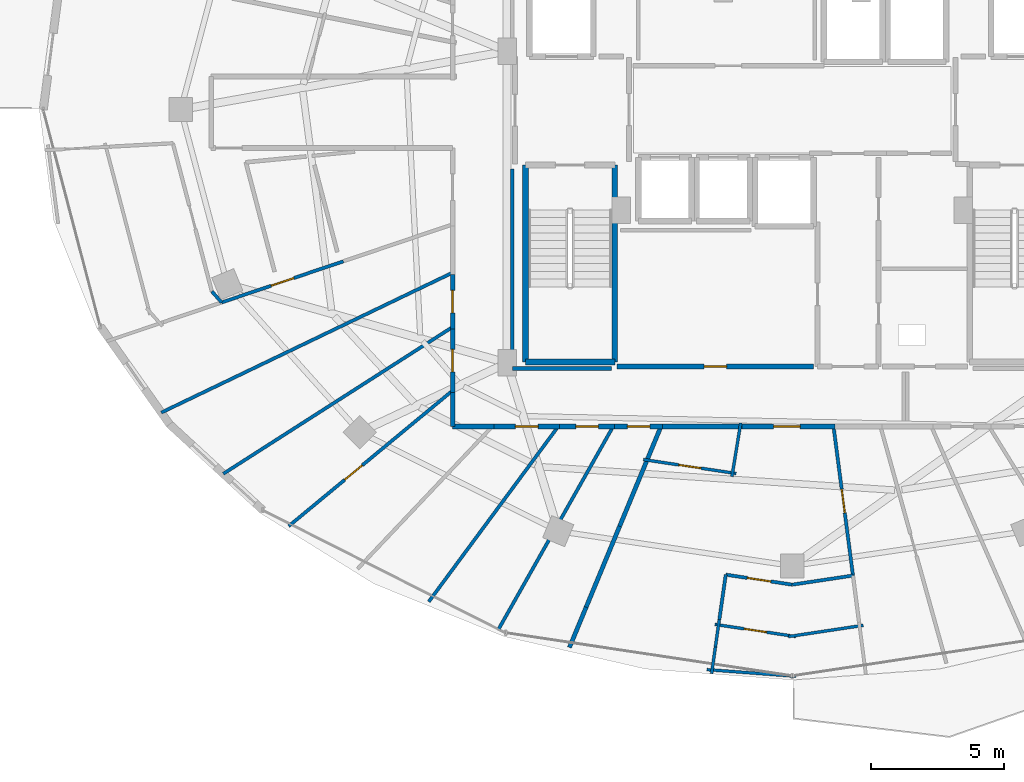
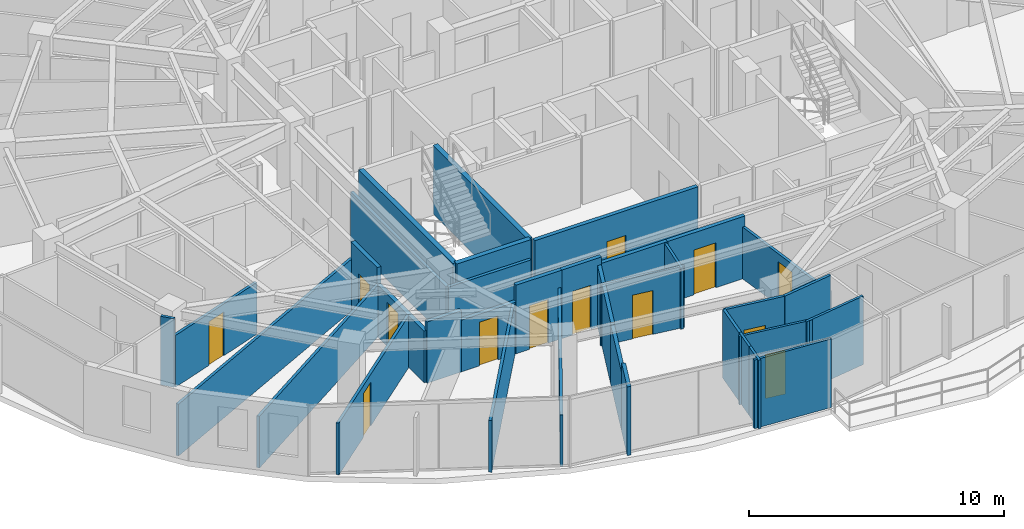
# One storey, part 24 of 34: 36 walls, 13 doors, 13 openings.
"""IFC4 building model written with IfcOpenShell, lengths in metres."""

from ifc_helpers import new_model, si_unit, direction, frame, frame_2d, origin, place, context, subcontext, project, spatial, rectangle, extrude, material, layer, layer_set, type_object, element, fill, save


model = new_model("IFC4")

# Units and contexts
model_context = context("Model", 3, precision=1e-05, world=origin(), true_north=direction((0.0, 1.0)))
body_context = subcontext(model_context, "Body", "Model", "MODEL_VIEW")
ifc_project = project(units=[si_unit("LENGTHUNIT", "METRE"), si_unit("AREAUNIT", "SQUARE_METRE"), si_unit("VOLUMEUNIT", "CUBIC_METRE"), si_unit("PLANEANGLEUNIT", "RADIAN"), si_unit("MASSUNIT", "GRAM", prefix="KILO")], contexts=[model_context])

# Site, building, storey
site_placement = place(None, origin())
site = spatial("IfcSite", under=ifc_project, at=site_placement, CompositionType="ELEMENT")
building_placement = place(site_placement, origin())
building = spatial("IfcBuilding", under=site, at=building_placement, Name="Vorneva Point Tower", CompositionType="ELEMENT")
storey_placement = place(building_placement, frame((0.0, 0.0, 210.75)))
storey = spatial("IfcBuildingStorey", under=building, at=storey_placement, Name="L57", CompositionType="ELEMENT", Elevation=210.75)

# Wall
ifc_material_1 = material(Name="Fire-rated acoustic gypsum stud partition", Category="gypsum")
ifc_layer_1 = layer(ifc_material_1, 0.110107421875)
ifc_layer_set_1 = layer_set([ifc_layer_1], Name="Fire-rated acoustic gypsum stud partition")
wall_type_1 = type_object("IfcWallType", Name="WL-PART-110", PredefinedType="PARTITIONING", material=ifc_layer_set_1)
wall_1_placement = place(storey_placement, frame((36.05859375, 14.18798828125, 0.0), z_axis=(0.0, 0.0, 1.0), x_axis=(-0.16206206721, -0.986780566474, 0.0)))
element("IfcWall", 1, at=wall_1_placement, inside=storey, type_object=wall_type_1, Name="L57 Interior Partition 143", PredefinedType="PARTITIONING", context=body_context, shape_type="SweptSolid", body=[
    extrude(rectangle(XDim=2.05029296875, YDim=0.110107421875, at=frame_2d((1.025146484375, 0.0))), origin(), (0.0, 0.0, 1.0), 2.93603515625),
])

# Wall, opening, door
wall_2_placement = place(storey_placement, frame((35.887451171875, 12.2822265625, 0.0), z_axis=(0.0, 0.0, 1.0), x_axis=(-0.988902415317, 0.148566527121, 0.0)))
wall_2 = element("IfcWall", 2, at=wall_2_placement, inside=storey, type_object=wall_type_1, Name="L57 Interior Partition 144", PredefinedType="PARTITIONING", context=body_context, shape_type="SweptSolid", body=[
    extrude(rectangle(XDim=3.5380859375, YDim=0.110107421875, at=frame_2d((1.76904296875, 0.0))), origin(), (0.0, 0.0, 1.0), 2.93603515625),
])
opening_1_placement = place(wall_2_placement, frame((1.343994140625, 0.0, 0.0)))
opening_1 = element("IfcOpeningElement", 3, at=opening_1_placement, cuts=wall_2, Name="Opening ID-02", PredefinedType="OPENING", context=body_context, shape_type="SweptSolid", body=[
    extrude(rectangle(XDim=0.85009765625, YDim=2.10009765625, at=frame_2d((0.425048828125, 1.050048828125))), frame((0.0, 0.06982421875, 0.0), z_axis=(0.0, -1.0, 0.0), x_axis=(1.0, 0.0, 0.0)), (0.0, 0.0, 1.0), 0.139892578125),
])
ifc_material_2 = material(Name="Engineered oak fire-rated door leaf", Category="wood")
door_type_1 = type_object("IfcDoorType", Name="DR-BATH-850", OperationType="NOTDEFINED", PredefinedType="DOOR", material=ifc_material_2)
door_1_placement = place(opening_1_placement, origin())
door_1 = element("IfcDoor", 4, at=door_1_placement, inside=storey, type_object=door_type_1, Name="L57 Door Living and Dining Room L57-04 / Bathroom L57-04", OperationType="SINGLE_SWING_RIGHT", OverallHeight=2.10009765625, OverallWidth=0.85009765625, PredefinedType="DOOR", context=body_context, shape_type="SweptSolid", body=[
    extrude(rectangle(XDim=0.85009765625, YDim=2.10009765625, at=frame_2d((0.425048828125, 1.050048828125))), frame((0.0, 0.02490234375, 0.0), z_axis=(0.0, -1.0, 0.0), x_axis=(1.0, 0.0, 0.0)), (0.0, 0.0, 1.0), 0.050048828125),
])
fill(opening_1, door_1)

# Walls
wall_3_placement = place(storey_placement, frame((34.780517578125, 4.890380859375, 0.0), z_axis=(0.0, 0.0, 1.0), x_axis=(0.997225868556, -0.07443498561, 0.0)))
element("IfcWall", 5, at=wall_3_placement, inside=storey, type_object=wall_type_1, Name="L57 Interior Partition 145", PredefinedType="PARTITIONING", context=body_context, shape_type="SweptSolid", body=[
    extrude(rectangle(XDim=3.368408203125, YDim=0.110107421875, at=frame_2d((1.68408203125, 0.0))), origin(), (0.0, 0.0, 1.0), 3.2900390625),
])
wall_4_placement = place(storey_placement, frame((34.960205078125, 4.7373046875, 0.0), z_axis=(0.0, 0.0, 1.0), x_axis=(0.141118797845, 0.989992669112, 0.0)))
element("IfcWall", 6, at=wall_4_placement, inside=storey, type_object=wall_type_1, Name="L57 Interior Partition 146", PredefinedType="PARTITIONING", context=body_context, shape_type="SweptSolid", body=[
    extrude(rectangle(XDim=1.129638671875, YDim=0.110107421875, at=frame_2d((0.56494140625, 0.0))), origin(), (0.0, 0.0, 1.0), 3.2900390625),
])
wall_5_placement = place(storey_placement, frame((35.10400390625, 5.746826171875, 0.0), z_axis=(0.0, 0.0, 1.0), x_axis=(0.141751551652, 0.989902266693, 0.0)))
element("IfcWall", 7, at=wall_5_placement, inside=storey, type_object=wall_type_1, Name="L57 Interior Partition 147", PredefinedType="PARTITIONING", context=body_context, shape_type="SweptSolid", body=[
    extrude(rectangle(XDim=1.03515625, YDim=0.110107421875, at=frame_2d((0.517578125, 0.0))), origin(), (0.0, 0.0, 1.0), 3.2900390625),
])
wall_6_placement = place(storey_placement, frame((40.67529296875, 6.558837890625, 0.0), z_axis=(0.0, 0.0, 1.0), x_axis=(-0.988857545323, -0.148864888602, 0.0)))
element("IfcWall", 8, at=wall_6_placement, inside=storey, type_object=wall_type_1, Name="L57 Interior Partition 153", PredefinedType="PARTITIONING", context=body_context, shape_type="SweptSolid", body=[
    extrude(rectangle(XDim=2.845458984375, YDim=0.110107421875, at=frame_2d((1.4228515625, 0.0))), origin(), (0.0, 0.0, 1.0), 3.2900390625),
])

# Wall, opening, door
wall_7_placement = place(storey_placement, frame((38.138427734375, 6.13525390625, 0.0), z_axis=(0.0, 0.0, 1.0), x_axis=(-0.988868983452, 0.148788889259, 0.0)))
wall_7 = element("IfcWall", 9, at=wall_7_placement, inside=storey, type_object=wall_type_1, Name="L57 Interior Partition 154", PredefinedType="PARTITIONING", context=body_context, shape_type="SweptSolid", body=[
    extrude(rectangle(XDim=3.088134765625, YDim=0.110107421875, at=frame_2d((1.5439453125, 0.0))), origin(), (0.0, 0.0, 1.0), 3.2900390625),
])
opening_2_placement = place(wall_7_placement, frame((1.119140625, 0.0, 0.0)))
opening_2 = element("IfcOpeningElement", 10, at=opening_2_placement, cuts=wall_7, Name="Opening ID-02", PredefinedType="OPENING", context=body_context, shape_type="SweptSolid", body=[
    extrude(rectangle(XDim=0.85009765625, YDim=2.10009765625, at=frame_2d((0.425048828125, 1.050048828125))), frame((0.0, 0.06982421875, 0.0), z_axis=(0.0, -1.0, 0.0), x_axis=(1.0, 0.0, 0.0)), (0.0, 0.0, 1.0), 0.139892578125),
])
door_2_placement = place(opening_2_placement, origin())
door_2 = element("IfcDoor", 11, at=door_2_placement, inside=storey, type_object=door_type_1, Name="L57 Access Door Kitchen L57-04", OperationType="SINGLE_SWING_LEFT", OverallHeight=2.10009765625, OverallWidth=0.85009765625, PredefinedType="DOOR", context=body_context, shape_type="SweptSolid", body=[
    extrude(rectangle(XDim=0.85009765625, YDim=2.10009765625, at=frame_2d((0.425048828125, 1.050048828125))), frame((0.0, 0.02490234375, 0.0), z_axis=(0.0, -1.0, 0.0), x_axis=(1.0, 0.0, 0.0)), (0.0, 0.0, 1.0), 0.050048828125),
])
fill(opening_2, door_2)

# Wall
ifc_layer_2 = layer(ifc_material_1, 0.125)
ifc_layer_set_2 = layer_set([ifc_layer_2], Name="Fire-rated acoustic gypsum stud partition")
wall_type_2 = type_object("IfcWallType", Name="WL-PART-125", PredefinedType="PARTITIONING", material=ifc_layer_set_2)
wall_8_placement = place(storey_placement, frame((16.123046875, 19.14697265625, 0.0), z_axis=(0.0, 0.0, 1.0), x_axis=(0.661607116759, -0.749850667169, 0.0)))
element("IfcWall", 12, at=wall_8_placement, inside=storey, type_object=wall_type_2, Name="L57 Interior Partition 128", PredefinedType="PARTITIONING", context=body_context, shape_type="SweptSolid", body=[
    extrude(rectangle(XDim=0.55615234375, YDim=0.125, at=frame_2d((0.278076171875, 0.0))), origin(), (0.0, 0.0, 1.0), 3.2900390625),
])

# Wall, opening, door
wall_9_placement = place(storey_placement, frame((16.490966796875, 18.72998046875, 0.0), z_axis=(0.0, 0.0, 1.0), x_axis=(0.947333893653, 0.320247551023, 0.0)))
wall_9 = element("IfcWall", 13, at=wall_9_placement, inside=storey, type_object=wall_type_2, Name="L57 Interior Partition 130", PredefinedType="PARTITIONING", context=body_context, shape_type="SweptSolid", body=[
    extrude(rectangle(XDim=4.84326171875, YDim=0.125, at=frame_2d((2.421630859375, 0.0))), origin(), (0.0, 0.0, 1.0), 2.48193359375),
])
opening_3_placement = place(wall_9_placement, frame((1.971435546875, 0.0, 0.0)))
opening_3 = element("IfcOpeningElement", 14, at=opening_3_placement, cuts=wall_9, Name="Opening ID-01", PredefinedType="OPENING", context=body_context, shape_type="SweptSolid", body=[
    extrude(rectangle(XDim=0.89990234375, YDim=2.10009765625, at=frame_2d((0.449951171875, 1.050048828125))), frame((0.0, 0.077392578125, 0.0), z_axis=(0.0, -1.0, 0.0), x_axis=(1.0, 0.0, 0.0)), (0.0, 0.0, 1.0), 0.15478515625),
])
door_type_2 = type_object("IfcDoorType", Name="DR-ROOM-900", OperationType="NOTDEFINED", PredefinedType="DOOR", material=ifc_material_2)
door_3_placement = place(opening_3_placement, origin())
door_3 = element("IfcDoor", 15, at=door_3_placement, inside=storey, type_object=door_type_2, Name="L57 Door Living and Dining Room L57-03 / Master Bedroom L57-03.1", OperationType="SINGLE_SWING_LEFT", OverallHeight=2.10009765625, OverallWidth=0.89990234375, PredefinedType="DOOR", context=body_context, shape_type="SweptSolid", body=[
    extrude(rectangle(XDim=0.89990234375, YDim=2.10009765625, at=frame_2d((0.449951171875, 1.050048828125))), frame((0.0, 0.02490234375, 0.0), z_axis=(0.0, -1.0, 0.0), x_axis=(1.0, 0.0, 0.0)), (0.0, 0.0, 1.0), 0.050048828125),
])
fill(opening_3, door_3)

# Walls
wall_10_placement = place(storey_placement, frame((14.217041015625, 14.5791015625, 0.0), z_axis=(0.0, 0.0, 1.0), x_axis=(0.901423599975, 0.432938209689, 0.0)))
element("IfcWall", 16, at=wall_10_placement, inside=storey, type_object=wall_type_2, Name="L57 Interior Partition 134", PredefinedType="PARTITIONING", context=body_context, shape_type="SweptSolid", body=[
    extrude(rectangle(XDim=12.18408203125, YDim=0.125, at=frame_2d((6.092041015625, 0.0))), origin(), (0.0, 0.0, 1.0), 2.48193359375),
])
wall_11_placement = place(storey_placement, frame((16.554931640625, 12.27197265625, 0.0), z_axis=(0.0, 0.0, 1.0), x_axis=(0.842221721565, 0.539131312135, 0.0)))
element("IfcWall", 17, at=wall_11_placement, inside=storey, type_object=wall_type_2, Name="L57 Interior Partition 135", PredefinedType="PARTITIONING", context=body_context, shape_type="SweptSolid", body=[
    extrude(rectangle(XDim=10.2646484375, YDim=0.125, at=frame_2d((5.13232421875, 0.0))), origin(), (0.0, 0.0, 1.0), 2.48193359375),
])

# Wall, opening, door
wall_12_placement = place(storey_placement, frame((19.02001953125, 10.298095703125, 0.0), z_axis=(0.0, 0.0, 1.0), x_axis=(0.770494327523, 0.637446853671, 0.0)))
wall_12 = element("IfcWall", 18, at=wall_12_placement, inside=storey, type_object=wall_type_2, Name="L57 Interior Partition 136", PredefinedType="PARTITIONING", context=body_context, shape_type="SweptSolid", body=[
    extrude(rectangle(XDim=8.020751953125, YDim=0.125, at=frame_2d((4.01025390625, 0.0))), origin(), (0.0, 0.0, 1.0), 2.48193359375),
])
opening_4_placement = place(wall_12_placement, frame((2.74560546875, 0.0, 0.0)))
opening_4 = element("IfcOpeningElement", 19, at=opening_4_placement, cuts=wall_12, Name="Opening ID-02", PredefinedType="OPENING", context=body_context, shape_type="SweptSolid", body=[
    extrude(rectangle(XDim=0.85009765625, YDim=2.10009765625, at=frame_2d((0.425048828125, 1.050048828125))), frame((0.0, 0.077392578125, 0.0), z_axis=(0.0, -1.0, 0.0), x_axis=(1.0, 0.0, 0.0)), (0.0, 0.0, 1.0), 0.15478515625),
])
door_4_placement = place(opening_4_placement, origin())
door_4 = element("IfcDoor", 20, at=door_4_placement, inside=storey, type_object=door_type_1, Name="L57 Access Door Bedroom L57-03.3", OperationType="SINGLE_SWING_LEFT", OverallHeight=2.10009765625, OverallWidth=0.85009765625, PredefinedType="DOOR", context=body_context, shape_type="SweptSolid", body=[
    extrude(rectangle(XDim=0.85009765625, YDim=2.10009765625, at=frame_2d((0.425048828125, 1.050048828125))), frame((0.0, 0.02490234375, 0.0), z_axis=(0.0, -1.0, 0.0), x_axis=(1.0, 0.0, 0.0)), (0.0, 0.0, 1.0), 0.050048828125),
])
fill(opening_4, door_4)

# Walls
wall_13_placement = place(storey_placement, frame((24.298095703125, 7.448974609375, 0.0), z_axis=(0.0, 0.0, 1.0), x_axis=(0.594148459094, 0.804355399408, 0.0)))
element("IfcWall", 21, at=wall_13_placement, inside=storey, type_object=wall_type_2, Name="L57 Interior Partition 138", PredefinedType="PARTITIONING", context=body_context, shape_type="SweptSolid", body=[
    extrude(rectangle(XDim=8.20654296875, YDim=0.125, at=frame_2d((4.103271484375, 0.0))), origin(), (0.0, 0.0, 1.0), 2.48193359375),
])
wall_14_placement = place(storey_placement, frame((26.916015625, 6.388916015625, 0.0), z_axis=(0.0, 0.0, 1.0), x_axis=(0.492046286697, 0.870569039047, 0.0)))
element("IfcWall", 22, at=wall_14_placement, inside=storey, type_object=wall_type_2, Name="L57 Interior Partition 139", PredefinedType="PARTITIONING", context=body_context, shape_type="SweptSolid", body=[
    extrude(rectangle(XDim=8.800048828125, YDim=0.125, at=frame_2d((4.39990234375, 0.0))), origin(), (0.0, 0.0, 1.0), 2.48193359375),
])
wall_15_placement = place(storey_placement, frame((35.2509765625, 6.771484375, 0.0), z_axis=(0.0, 0.0, 1.0), x_axis=(0.141660537741, 0.98991529539, 0.0)))
element("IfcWall", 23, at=wall_15_placement, inside=storey, type_object=wall_type_2, Name="L57 Interior Partition 148", PredefinedType="PARTITIONING", context=body_context, shape_type="SweptSolid", body=[
    extrude(rectangle(XDim=1.71484375, YDim=0.125, at=frame_2d((0.857421875, 0.0))), origin(), (0.0, 0.0, 1.0), 3.2900390625),
])

# Wall, opening, door
wall_16_placement = place(storey_placement, frame((35.493896484375, 8.468994140625, 0.0), z_axis=(0.0, 0.0, 1.0), x_axis=(0.988876209798, -0.148740854158, 0.0)))
wall_16 = element("IfcWall", 24, at=wall_16_placement, inside=storey, type_object=wall_type_2, Name="L57 Interior Partition 149", PredefinedType="PARTITIONING", context=body_context, shape_type="SweptSolid", body=[
    extrude(rectangle(XDim=2.5341796875, YDim=0.125, at=frame_2d((1.26708984375, 0.0))), origin(), (0.0, 0.0, 1.0), 3.2900390625),
])
opening_5_placement = place(wall_16_placement, frame((0.817138671875, 0.0, 0.0)))
opening_5 = element("IfcOpeningElement", 25, at=opening_5_placement, cuts=wall_16, Name="Opening ID-01", PredefinedType="OPENING", context=body_context, shape_type="SweptSolid", body=[
    extrude(rectangle(XDim=0.89990234375, YDim=2.10009765625, at=frame_2d((0.449951171875, 1.050048828125))), frame((0.0, 0.077392578125, 0.0), z_axis=(0.0, -1.0, 0.0), x_axis=(1.0, 0.0, 0.0)), (0.0, 0.0, 1.0), 0.15478515625),
])
door_5_placement = place(opening_5_placement, origin())
door_5 = element("IfcDoor", 26, at=door_5_placement, inside=storey, type_object=door_type_2, Name="L57 Door Living and Dining Room L57-04 / Study Room L57-04", OperationType="SINGLE_SWING_LEFT", OverallHeight=2.10009765625, OverallWidth=0.89990234375, PredefinedType="DOOR", context=body_context, shape_type="SweptSolid", body=[
    extrude(rectangle(XDim=0.89990234375, YDim=2.10009765625, at=frame_2d((0.449951171875, 1.050048828125))), frame((0.0, 0.02490234375, 0.0), z_axis=(0.0, -1.0, 0.0), x_axis=(1.0, 0.0, 0.0)), (0.0, 0.0, 1.0), 0.050048828125),
])
fill(opening_5, door_5)

# Wall
wall_17_placement = place(storey_placement, frame((38.0, 8.092041015625, 0.0), z_axis=(0.0, 0.0, 1.0), x_axis=(0.988896087956, 0.148608637791, 0.0)))
element("IfcWall", 27, at=wall_17_placement, inside=storey, type_object=wall_type_2, Name="L57 Interior Partition 150", PredefinedType="PARTITIONING", context=body_context, shape_type="SweptSolid", body=[
    extrude(rectangle(XDim=2.314697265625, YDim=0.125, at=frame_2d((1.1572265625, 0.0))), origin(), (0.0, 0.0, 1.0), 3.2900390625),
])

# Wall, opening, door
wall_18_placement = place(storey_placement, frame((40.289306640625, 8.43603515625, 0.0), z_axis=(0.0, 0.0, 1.0), x_axis=(-0.12936683678, 0.991596803919, 0.0)))
wall_18 = element("IfcWall", 28, at=wall_18_placement, inside=storey, type_object=wall_type_2, Name="L57 Interior Partition 152", PredefinedType="PARTITIONING", context=body_context, shape_type="SweptSolid", body=[
    extrude(rectangle(XDim=5.66162109375, YDim=0.125, at=frame_2d((2.830810546875, 0.0))), origin(), (0.0, 0.0, 1.0), 2.48193359375),
])
opening_6_placement = place(wall_18_placement, frame((2.380615234375, 0.0, 0.0)))
opening_6 = element("IfcOpeningElement", 29, at=opening_6_placement, cuts=wall_18, Name="Opening ID-01", PredefinedType="OPENING", context=body_context, shape_type="SweptSolid", body=[
    extrude(rectangle(XDim=0.89990234375, YDim=2.10009765625, at=frame_2d((0.449951171875, 1.050048828125))), frame((0.0, 0.077392578125, 0.0), z_axis=(0.0, -1.0, 0.0), x_axis=(1.0, 0.0, 0.0)), (0.0, 0.0, 1.0), 0.15478515625),
])
door_6_placement = place(opening_6_placement, origin())
door_6 = element("IfcDoor", 30, at=door_6_placement, inside=storey, type_object=door_type_2, Name="L57 Door Living and Dining Room L57-04 / Master Bedroom L57-04.1", OperationType="SINGLE_SWING_LEFT", OverallHeight=2.10009765625, OverallWidth=0.89990234375, PredefinedType="DOOR", context=body_context, shape_type="SweptSolid", body=[
    extrude(rectangle(XDim=0.89990234375, YDim=2.10009765625, at=frame_2d((0.449951171875, 1.050048828125))), frame((0.0, 0.02490234375, 0.0), z_axis=(0.0, -1.0, 0.0), x_axis=(1.0, 0.0, 0.0)), (0.0, 0.0, 1.0), 0.050048828125),
])
fill(opening_6, door_6)

# Walls
ifc_layer_3 = layer(ifc_material_1, 0.139892578125)
ifc_layer_set_3 = layer_set([ifc_layer_3], Name="Fire-rated acoustic gypsum stud partition")
wall_type_3 = type_object("IfcWallType", Name="WL-PART-140", PredefinedType="PARTITIONING", material=ifc_layer_set_3)
wall_19_placement = place(storey_placement, frame((27.449951171875, 23.75390625, 0.0), z_axis=(0.0, 0.0, 1.0), x_axis=(0.0, -1.0, 0.0)))
element("IfcWall", 31, at=wall_19_placement, inside=storey, type_object=wall_type_3, Name="L57 Interior Closure Partition 179", PredefinedType="PARTITIONING", context=body_context, shape_type="SweptSolid", body=[
    extrude(rectangle(XDim=7.513916015625, YDim=0.139892578125, at=frame_2d((3.7568359375, 0.0))), origin(), (0.0, 0.0, 1.0), 2.48193359375),
])
wall_20_placement = place(storey_placement, frame((27.449951171875, 16.239990234375, 0.0), z_axis=(0.0, 0.0, 1.0), x_axis=(1.0, 0.0, 0.0)))
element("IfcWall", 32, at=wall_20_placement, inside=storey, type_object=wall_type_3, Name="L57 Interior Closure Partition 180", PredefinedType="PARTITIONING", context=body_context, shape_type="SweptSolid", body=[
    extrude(rectangle(XDim=3.7451171875, YDim=0.139892578125, at=frame_2d((1.87255859375, 0.0))), origin(), (0.0, 0.0, 1.0), 2.48193359375),
])
ifc_layer_4 = layer(ifc_material_1, 0.159912109375)
ifc_layer_set_4 = layer_set([ifc_layer_4], Name="Fire-rated acoustic gypsum stud partition")
wall_type_4 = type_object("IfcWallType", Name="WL-PART-160", PredefinedType="PARTITIONING", material=ifc_layer_set_4)
wall_21_placement = place(storey_placement, frame((30.23095703125, 7.242919921875, 0.0), z_axis=(0.0, 0.0, 1.0), x_axis=(0.382467158794, 0.923969086303, 0.0)))
element("IfcWall", 33, at=wall_21_placement, inside=storey, type_object=wall_type_4, Name="L57 Interior Partition 140", PredefinedType="PARTITIONING", context=body_context, shape_type="SweptSolid", body=[
    extrude(rectangle(XDim=3.302001953125, YDim=0.159912109375, at=frame_2d((1.65087890625, 0.0))), origin(), (0.0, 0.0, 1.0), 2.823974609375),
])
wall_22_placement = place(storey_placement, frame((31.493896484375, 10.2939453125, 0.0), z_axis=(0.0, 0.0, 1.0), x_axis=(0.382751310383, 0.923851413594, 0.0)))
element("IfcWall", 34, at=wall_22_placement, inside=storey, type_object=wall_type_4, Name="L57 Interior Partition 141", PredefinedType="PARTITIONING", context=body_context, shape_type="SweptSolid", body=[
    extrude(rectangle(XDim=4.065673828125, YDim=0.159912109375, at=frame_2d((2.03271484375, 0.0))), origin(), (0.0, 0.0, 1.0), 2.93603515625),
])
wall_23_placement = place(storey_placement, frame((29.60205078125, 5.72509765625, 0.0), z_axis=(0.0, 0.0, 1.0), x_axis=(0.382789247432, 0.923835695376, 0.0)))
element("IfcWall", 35, at=wall_23_placement, inside=storey, type_object=wall_type_4, Name="L57 Interior Partition 142", PredefinedType="PARTITIONING", context=body_context, shape_type="SweptSolid", body=[
    extrude(rectangle(XDim=1.64306640625, YDim=0.159912109375, at=frame_2d((0.821533203125, 0.0))), origin(), (0.0, 0.0, 1.0), 3.2900390625),
])

# Wall, opening, door
ifc_material_3 = material(Name="Autoclaved aerated concrete blockwork", Category="masonry")
ifc_layer_5 = layer(ifc_material_3, 0.179931640625)
ifc_layer_set_5 = layer_set([ifc_layer_5], Name="Autoclaved aerated concrete blockwork")
wall_type_5 = type_object("IfcWallType", Name="WL-PART-180", PredefinedType="PARTITIONING", material=ifc_layer_set_5)
wall_24_placement = place(storey_placement, frame((31.39990234375, 16.320068359375, 0.0), z_axis=(0.0, 0.0, 1.0), x_axis=(1.0, 0.0, 0.0)))
wall_24 = element("IfcWall", 36, at=wall_24_placement, inside=storey, type_object=wall_type_5, Name="L57 Interior Partition 025", PredefinedType="PARTITIONING", context=body_context, shape_type="SweptSolid", body=[
    extrude(rectangle(XDim=7.400146484375, YDim=0.179931640625, at=frame_2d((3.7001953125, 0.0))), origin(), (0.0, 0.0, 1.0), 3.2900390625),
])
opening_7_placement = place(wall_24_placement, frame((3.27490234375, 0.0, 0.0)))
opening_7 = element("IfcOpeningElement", 37, at=opening_7_placement, cuts=wall_24, Name="Opening ID-02", PredefinedType="OPENING", context=body_context, shape_type="SweptSolid", body=[
    extrude(rectangle(XDim=0.85009765625, YDim=2.10009765625, at=frame_2d((0.425048828125, 1.050048828125))), frame((0.0, 0.10498046875, 0.0), z_axis=(0.0, -1.0, 0.0), x_axis=(1.0, 0.0, 0.0)), (0.0, 0.0, 1.0), 0.209716796875),
])
door_7_placement = place(opening_7_placement, origin())
door_7 = element("IfcDoor", 38, at=door_7_placement, inside=storey, type_object=door_type_1, Name="L57 Door Floor Storage Room / L57 Circulation Corridor", OperationType="SINGLE_SWING_RIGHT", OverallHeight=2.10009765625, OverallWidth=0.85009765625, PredefinedType="DOOR", context=body_context, shape_type="SweptSolid", body=[
    extrude(rectangle(XDim=0.85009765625, YDim=2.10009765625, at=frame_2d((0.425048828125, 1.050048828125))), frame((0.0, 0.02490234375, 0.0), z_axis=(0.0, -1.0, 0.0), x_axis=(1.0, 0.0, 0.0)), (0.0, 0.0, 1.0), 0.050048828125),
])
fill(opening_7, door_7)

wall_25_placement = place(storey_placement, frame((25.199951171875, 19.787109375, 0.0), z_axis=(0.0, 0.0, 1.0), x_axis=(0.0, -1.0, 0.0)))
wall_25 = element("IfcWall", 39, at=wall_25_placement, inside=storey, type_object=wall_type_5, Name="L57 Interior Partition 055", PredefinedType="PARTITIONING", context=body_context, shape_type="SweptSolid", body=[
    extrude(rectangle(XDim=2.052001953125, YDim=0.179931640625, at=frame_2d((1.02587890625, 0.0))), origin(), (0.0, 0.0, 1.0), 3.2900390625),
])
opening_8_placement = place(wall_25_placement, frame((0.60107421875, 0.0, 0.0)))
opening_8 = element("IfcOpeningElement", 40, at=opening_8_placement, cuts=wall_25, Name="Opening ID-02", PredefinedType="OPENING", context=body_context, shape_type="SweptSolid", body=[
    extrude(rectangle(XDim=0.85009765625, YDim=2.10009765625, at=frame_2d((0.425048828125, 1.050048828125))), frame((0.0, 0.10498046875, 0.0), z_axis=(0.0, -1.0, 0.0), x_axis=(1.0, 0.0, 0.0)), (0.0, 0.0, 1.0), 0.209716796875),
])
door_8_placement = place(opening_8_placement, origin())
door_8 = element("IfcDoor", 41, at=door_8_placement, inside=storey, type_object=door_type_1, Name="L57 Access Door L57 Circulation Corridor", OperationType="SINGLE_SWING_LEFT", OverallHeight=2.10009765625, OverallWidth=0.85009765625, PredefinedType="DOOR", context=body_context, shape_type="SweptSolid", body=[
    extrude(rectangle(XDim=0.85009765625, YDim=2.10009765625, at=frame_2d((0.425048828125, 1.050048828125))), frame((0.0, 0.02490234375, 0.0), z_axis=(0.0, -1.0, 0.0), x_axis=(1.0, 0.0, 0.0)), (0.0, 0.0, 1.0), 0.050048828125),
])
fill(opening_8, door_8)

wall_26_placement = place(storey_placement, frame((25.199951171875, 17.735107421875, 0.0), z_axis=(0.0, 0.0, 1.0), x_axis=(0.0, -1.0, 0.0)))
wall_26 = element("IfcWall", 42, at=wall_26_placement, inside=storey, type_object=wall_type_5, Name="L57 Interior Partition 056", PredefinedType="PARTITIONING", context=body_context, shape_type="SweptSolid", body=[
    extrude(rectangle(XDim=2.402099609375, YDim=0.179931640625, at=frame_2d((1.201171875, 0.0))), origin(), (0.0, 0.0, 1.0), 2.48193359375),
])
opening_9_placement = place(wall_26_placement, frame((0.77587890625, 0.0, 0.0)))
opening_9 = element("IfcOpeningElement", 43, at=opening_9_placement, cuts=wall_26, Name="Opening ID-02", PredefinedType="OPENING", context=body_context, shape_type="SweptSolid", body=[
    extrude(rectangle(XDim=0.85009765625, YDim=2.10009765625, at=frame_2d((0.425048828125, 1.050048828125))), frame((0.0, 0.10498046875, 0.0), z_axis=(0.0, -1.0, 0.0), x_axis=(1.0, 0.0, 0.0)), (0.0, 0.0, 1.0), 0.209716796875),
])
door_9_placement = place(opening_9_placement, origin())
door_9 = element("IfcDoor", 44, at=door_9_placement, inside=storey, type_object=door_type_1, Name="L57 Access Door L57 Circulation Corridor", OperationType="SINGLE_SWING_RIGHT", OverallHeight=2.10009765625, OverallWidth=0.85009765625, PredefinedType="DOOR", context=body_context, shape_type="SweptSolid", body=[
    extrude(rectangle(XDim=0.85009765625, YDim=2.10009765625, at=frame_2d((0.425048828125, 1.050048828125))), frame((0.0, 0.02490234375, 0.0), z_axis=(0.0, -1.0, 0.0), x_axis=(1.0, 0.0, 0.0)), (0.0, 0.0, 1.0), 0.050048828125),
])
fill(opening_9, door_9)

# Walls
wall_27_placement = place(storey_placement, frame((25.199951171875, 15.3330078125, 0.0), z_axis=(0.0, 0.0, 1.0), x_axis=(0.0, -1.0, 0.0)))
element("IfcWall", 45, at=wall_27_placement, inside=storey, type_object=wall_type_5, Name="L57 Interior Partition 057", PredefinedType="PARTITIONING", context=body_context, shape_type="SweptSolid", body=[
    extrude(rectangle(XDim=1.282958984375, YDim=0.179931640625, at=frame_2d((0.6416015625, 0.0))), origin(), (0.0, 0.0, 1.0), 2.48193359375),
])
wall_28_placement = place(storey_placement, frame((25.199951171875, 14.050048828125, 0.0), z_axis=(0.0, 0.0, 1.0), x_axis=(1.0, 0.0, 0.0)))
element("IfcWall", 46, at=wall_28_placement, inside=storey, type_object=wall_type_5, Name="L57 Interior Partition 058", PredefinedType="PARTITIONING", context=body_context, shape_type="SweptSolid", body=[
    extrude(rectangle(XDim=1.550048828125, YDim=0.179931640625, at=frame_2d((0.77490234375, 0.0))), origin(), (0.0, 0.0, 1.0), 2.93603515625),
])

# Wall, opening, door
wall_29_placement = place(storey_placement, frame((26.75, 14.050048828125, 0.0), z_axis=(0.0, 0.0, 1.0), x_axis=(1.0, 0.0, 0.0)))
wall_29 = element("IfcWall", 47, at=wall_29_placement, inside=storey, type_object=wall_type_5, Name="L57 Interior Partition 059", PredefinedType="PARTITIONING", context=body_context, shape_type="SweptSolid", body=[
    extrude(rectangle(XDim=2.48388671875, YDim=0.179931640625, at=frame_2d((1.241943359375, 0.0))), origin(), (0.0, 0.0, 1.0), 2.48193359375),
])
opening_10_placement = place(wall_29_placement, frame((0.81689453125, 0.0, 0.0)))
opening_10 = element("IfcOpeningElement", 48, at=opening_10_placement, cuts=wall_29, Name="Opening ID-02", PredefinedType="OPENING", context=body_context, shape_type="SweptSolid", body=[
    extrude(rectangle(XDim=0.85009765625, YDim=2.10009765625, at=frame_2d((0.425048828125, 1.050048828125))), frame((0.0, 0.10498046875, 0.0), z_axis=(0.0, -1.0, 0.0), x_axis=(1.0, 0.0, 0.0)), (0.0, 0.0, 1.0), 0.209716796875),
])
door_10_placement = place(opening_10_placement, origin())
door_10 = element("IfcDoor", 49, at=door_10_placement, inside=storey, type_object=door_type_1, Name="L57 Access Door L57 Circulation Corridor", OperationType="SINGLE_SWING_LEFT", OverallHeight=2.10009765625, OverallWidth=0.85009765625, PredefinedType="DOOR", context=body_context, shape_type="SweptSolid", body=[
    extrude(rectangle(XDim=0.85009765625, YDim=2.10009765625, at=frame_2d((0.425048828125, 1.050048828125))), frame((0.0, 0.02490234375, 0.0), z_axis=(0.0, -1.0, 0.0), x_axis=(1.0, 0.0, 0.0)), (0.0, 0.0, 1.0), 0.050048828125),
])
fill(opening_10, door_10)

wall_30_placement = place(storey_placement, frame((29.23388671875, 14.050048828125, 0.0), z_axis=(0.0, 0.0, 1.0), x_axis=(1.0, 0.0, 0.0)))
wall_30 = element("IfcWall", 50, at=wall_30_placement, inside=storey, type_object=wall_type_5, Name="L57 Interior Partition 060", PredefinedType="PARTITIONING", context=body_context, shape_type="SweptSolid", body=[
    extrude(rectangle(XDim=2.072021484375, YDim=0.179931640625, at=frame_2d((1.0361328125, 0.0))), origin(), (0.0, 0.0, 1.0), 3.2900390625),
])
opening_11_placement = place(wall_30_placement, frame((0.611083984375, 0.0, 0.0)))
opening_11 = element("IfcOpeningElement", 51, at=opening_11_placement, cuts=wall_30, Name="Opening ID-02", PredefinedType="OPENING", context=body_context, shape_type="SweptSolid", body=[
    extrude(rectangle(XDim=0.85009765625, YDim=2.10009765625, at=frame_2d((0.425048828125, 1.050048828125))), frame((0.0, 0.10498046875, 0.0), z_axis=(0.0, -1.0, 0.0), x_axis=(1.0, 0.0, 0.0)), (0.0, 0.0, 1.0), 0.209716796875),
])
door_11_placement = place(opening_11_placement, origin())
door_11 = element("IfcDoor", 52, at=door_11_placement, inside=storey, type_object=door_type_1, Name="L57 Access Door L57 Circulation Corridor", OperationType="SINGLE_SWING_RIGHT", OverallHeight=2.10009765625, OverallWidth=0.85009765625, PredefinedType="DOOR", context=body_context, shape_type="SweptSolid", body=[
    extrude(rectangle(XDim=0.85009765625, YDim=2.10009765625, at=frame_2d((0.425048828125, 1.050048828125))), frame((0.0, 0.02490234375, 0.0), z_axis=(0.0, -1.0, 0.0), x_axis=(1.0, 0.0, 0.0)), (0.0, 0.0, 1.0), 0.050048828125),
])
fill(opening_11, door_11)

wall_31_placement = place(storey_placement, frame((31.305908203125, 14.050048828125, 0.0), z_axis=(0.0, 0.0, 1.0), x_axis=(1.0, 0.0, 0.0)))
wall_31 = element("IfcWall", 53, at=wall_31_placement, inside=storey, type_object=wall_type_5, Name="L57 Interior Partition 061", PredefinedType="PARTITIONING", context=body_context, shape_type="SweptSolid", body=[
    extrude(rectangle(XDim=1.80419921875, YDim=0.179931640625, at=frame_2d((0.902099609375, 0.0))), origin(), (0.0, 0.0, 1.0), 3.2900390625),
])
opening_12_placement = place(wall_31_placement, frame((0.47705078125, 0.0, 0.0)))
opening_12 = element("IfcOpeningElement", 54, at=opening_12_placement, cuts=wall_31, Name="Opening ID-02", PredefinedType="OPENING", context=body_context, shape_type="SweptSolid", body=[
    extrude(rectangle(XDim=0.85009765625, YDim=2.10009765625, at=frame_2d((0.425048828125, 1.050048828125))), frame((0.0, 0.10498046875, 0.0), z_axis=(0.0, -1.0, 0.0), x_axis=(1.0, 0.0, 0.0)), (0.0, 0.0, 1.0), 0.209716796875),
])
door_12_placement = place(opening_12_placement, origin())
door_12 = element("IfcDoor", 55, at=door_12_placement, inside=storey, type_object=door_type_1, Name="L57 Access Door L57 Circulation Corridor", OperationType="SINGLE_SWING_LEFT", OverallHeight=2.10009765625, OverallWidth=0.85009765625, PredefinedType="DOOR", context=body_context, shape_type="SweptSolid", body=[
    extrude(rectangle(XDim=0.85009765625, YDim=2.10009765625, at=frame_2d((0.425048828125, 1.050048828125))), frame((0.0, 0.02490234375, 0.0), z_axis=(0.0, -1.0, 0.0), x_axis=(1.0, 0.0, 0.0)), (0.0, 0.0, 1.0), 0.050048828125),
])
fill(opening_12, door_12)

wall_32_placement = place(storey_placement, frame((35.97509765625, 14.050048828125, 0.0), z_axis=(0.0, 0.0, 1.0), x_axis=(1.0, 0.0, 0.0)))
wall_32 = element("IfcWall", 56, at=wall_32_placement, inside=storey, type_object=wall_type_5, Name="L57 Interior Partition 062", PredefinedType="PARTITIONING", context=body_context, shape_type="SweptSolid", body=[
    extrude(rectangle(XDim=3.642822265625, YDim=0.179931640625, at=frame_2d((1.8212890625, 0.0))), origin(), (0.0, 0.0, 1.0), 2.97900390625),
])
opening_13_placement = place(wall_32_placement, frame((1.321533203125, 0.0, 0.0)))
opening_13 = element("IfcOpeningElement", 57, at=opening_13_placement, cuts=wall_32, Name="Opening UD-01", PredefinedType="OPENING", context=body_context, shape_type="SweptSolid", body=[
    extrude(rectangle(XDim=1.0, YDim=2.14990234375, at=frame_2d((0.5, 1.074951171875))), frame((0.0, 0.10498046875, 0.0), z_axis=(0.0, -1.0, 0.0), x_axis=(1.0, 0.0, 0.0)), (0.0, 0.0, 1.0), 0.209716796875),
])
door_type_3 = type_object("IfcDoorType", Name="DR-UNIT-1000", OperationType="NOTDEFINED", PredefinedType="DOOR", material=ifc_material_2)
door_13_placement = place(opening_13_placement, origin())
door_13 = element("IfcDoor", 58, at=door_13_placement, inside=storey, type_object=door_type_3, Name="L57 Door L57 Circulation Corridor / Living and Dining Room L57-04", OperationType="SINGLE_SWING_LEFT", OverallHeight=2.14990234375, OverallWidth=1.0, PredefinedType="DOOR", context=body_context, shape_type="SweptSolid", body=[
    extrude(rectangle(XDim=1.0, YDim=2.14990234375, at=frame_2d((0.5, 1.074951171875))), frame((0.0, 0.02490234375, 0.0), z_axis=(0.0, -1.0, 0.0), x_axis=(1.0, 0.0, 0.0)), (0.0, 0.0, 1.0), 0.050048828125),
])
fill(opening_13, door_13)

# Walls
wall_33_placement = place(storey_placement, frame((32.969970703125, 14.050048828125, 0.0), z_axis=(0.0, 0.0, 1.0), x_axis=(1.0, 0.0, 0.0)))
element("IfcWall", 59, at=wall_33_placement, inside=storey, type_object=wall_type_5, Name="L57 Interior Partition 063", PredefinedType="PARTITIONING", context=body_context, shape_type="SweptSolid", body=[
    extrude(rectangle(XDim=3.14501953125, YDim=0.179931640625, at=frame_2d((1.572509765625, 0.0))), origin(), (0.0, 0.0, 1.0), 2.97900390625),
])
ifc_material_4 = material(Name="Concrete B50 (C40/50)", Category="concrete")
ifc_layer_6 = layer(ifc_material_4, 0.219970703125)
ifc_layer_set_6 = layer_set([ifc_layer_6], Name="Concrete B50 (C40/50)")
wall_type_6 = type_object("IfcWallType", Name="WL-SHFT-220", PredefinedType="SOLIDWALL", material=ifc_layer_set_6)
wall_34_placement = place(storey_placement, frame((31.31005859375, 23.909912109375, 0.0), z_axis=(0.0, 0.0, 1.0), x_axis=(0.0, -1.0, 0.0)))
element("IfcWall", 60, at=wall_34_placement, inside=storey, type_object=wall_type_6, Name="L57 Exit Stair ST1 Shaft Wall right", PredefinedType="SOLIDWALL", context=body_context, shape_type="SweptSolid", body=[
    extrude(rectangle(XDim=7.419921875, YDim=0.219970703125, at=frame_2d((3.7099609375, 0.0))), origin(), (0.0, 0.0, 1.0), 3.2900390625),
])
wall_35_placement = place(storey_placement, frame((31.31005859375, 16.489990234375, 0.0), z_axis=(0.0, 0.0, 1.0), x_axis=(-1.0, 0.0, 0.0)))
element("IfcWall", 61, at=wall_35_placement, inside=storey, type_object=wall_type_6, Name="L57 Exit Stair ST1 Shaft Wall far", PredefinedType="SOLIDWALL", context=body_context, shape_type="SweptSolid", body=[
    extrude(rectangle(XDim=3.3701171875, YDim=0.219970703125, at=frame_2d((1.68505859375, 0.0))), origin(), (0.0, 0.0, 1.0), 3.2900390625),
])
wall_36_placement = place(storey_placement, frame((27.93994140625, 16.489990234375, 0.0), z_axis=(0.0, 0.0, 1.0), x_axis=(0.0, 1.0, 0.0)))
element("IfcWall", 62, at=wall_36_placement, inside=storey, type_object=wall_type_6, Name="L57 Exit Stair ST1 Shaft Wall left", PredefinedType="SOLIDWALL", context=body_context, shape_type="SweptSolid", body=[
    extrude(rectangle(XDim=7.419921875, YDim=0.219970703125, at=frame_2d((3.7099609375, 0.0))), origin(), (0.0, 0.0, 1.0), 3.2900390625),
])

save(model, "model.ifc")
